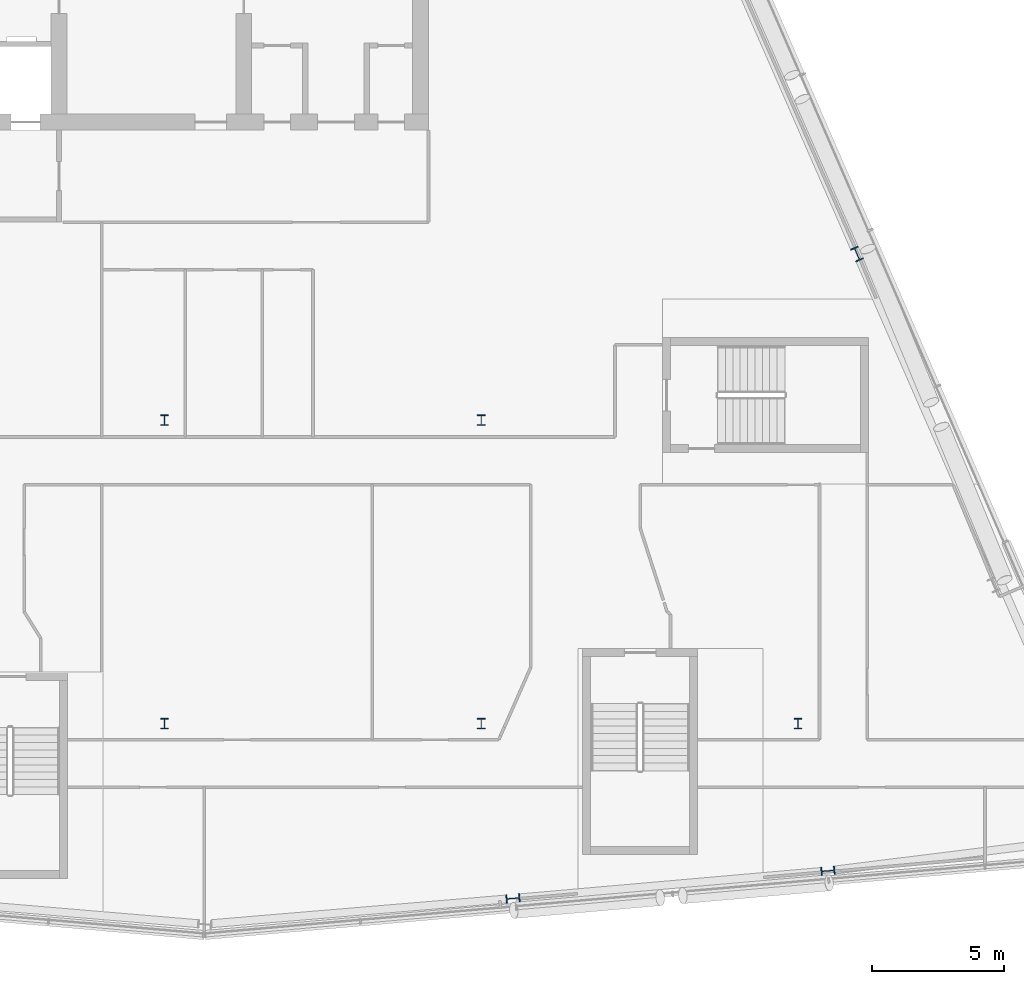
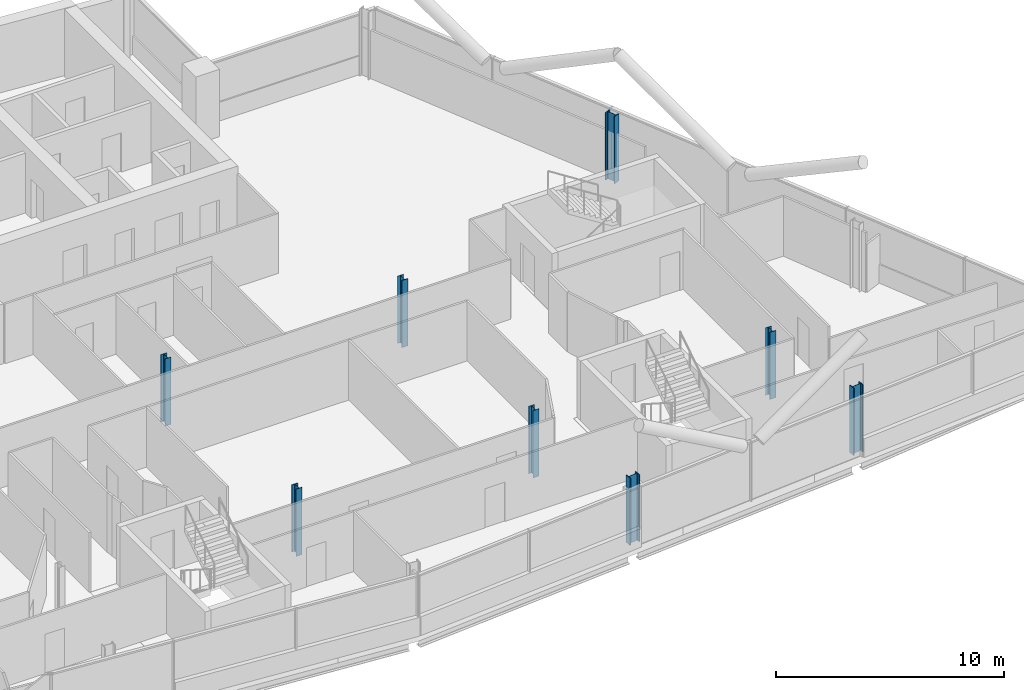
# One storey, part 2 of 27: 8 columns.
"""IFC4 building model written with IfcOpenShell, lengths in metres."""

from ifc_helpers import new_model, si_unit, direction, frame, origin, origin_2d, place, context, subcontext, project, spatial, i_section, extrude, material, material_profile, profile_set, type_object, element, save


model = new_model("IFC4")

# Units and contexts
model_context = context("Model", 3, precision=1e-05, world=origin(), true_north=direction((0.0, 1.0)))
body_context = subcontext(model_context, "Body", "Model", "MODEL_VIEW")
ifc_project = project(units=[si_unit("LENGTHUNIT", "METRE"), si_unit("AREAUNIT", "SQUARE_METRE"), si_unit("VOLUMEUNIT", "CUBIC_METRE"), si_unit("PLANEANGLEUNIT", "RADIAN"), si_unit("MASSUNIT", "GRAM", prefix="KILO")], contexts=[model_context])

# Site, building, storey
site_placement = place(None, origin())
site = spatial("IfcSite", under=ifc_project, at=site_placement, CompositionType="ELEMENT")
building_placement = place(site_placement, origin())
building = spatial("IfcBuilding", under=site, at=building_placement, Name="Wharfspan Tower", CompositionType="ELEMENT")
storey_placement = place(building_placement, frame((0.0, 0.0, 243.100098)))
storey = spatial("IfcBuildingStorey", under=building, at=storey_placement, Name="L61", CompositionType="ELEMENT", Elevation=243.100098)

# Columns
ifc_material = material(Name="Steel S355J2", Category="steel")
ifc_material_profile_1 = material_profile(ifc_material, i_section(OverallWidth=0.300049, OverallDepth=0.399902, WebThickness=0.013428, FlangeThickness=0.023926, FilletRadius=0.0271, at=origin_2d()))
ifc_profile_set_1 = profile_set([ifc_material_profile_1], Name="Steel S355J2")
column_type_1 = type_object("IfcColumnType", Name="Column HEB 400", PredefinedType="COLUMN", material=ifc_profile_set_1)
for number, where, z_axis, x_axis, name in (
    (1, (48.0, 11.5, 0.0), (0.0, 0.0, 1.0), (1.0, 0.0, 0.0), "Interior column I.1.3 L61"),
    (2, (60.0, 11.5, 0.0), (0.0, 0.0, 1.0), (1.0, 0.0, 0.0), "Interior column I.1.4 L61"),
    (3, (72.0, 11.5, 0.0), (0.0, 0.0, 1.0), (1.0, 0.0, 0.0), "Interior column I.1.5 L61"),
    (4, (48.0, 23.0, 0.0), (0.0, 0.0, 1.0), (1.0, 0.0, 0.0), "Interior column I.2.3 L61"),
    (5, (60.0, 23.0, 0.0), (0.0, 0.0, 1.0), (1.0, 0.0, 0.0), "Interior column I.2.4 L61"),
):
    element("IfcColumn", number, at=place(storey_placement, frame(where, z_axis=z_axis, x_axis=x_axis)), inside=storey, type_object=column_type_1, Name=name, PredefinedType="COLUMN", context=body_context, shape_type="SweptSolid", body=[
        extrude(i_section(OverallWidth=0.300049, OverallDepth=0.399902, WebThickness=0.013428, FlangeThickness=0.023926, FilletRadius=0.0271, at=origin_2d()), origin(), (0.0, 0.0, 1.0), 3.599854),
    ])
ifc_material_profile_2 = material_profile(ifc_material, i_section(OverallWidth=0.305908, OverallDepth=0.523926, WebThickness=0.020996, FlangeThickness=0.040039, FilletRadius=0.0271, at=origin_2d()))
ifc_profile_set_2 = profile_set([ifc_material_profile_2], Name="Steel S355J2")
column_type_2 = type_object("IfcColumnType", Name="Column HEM 500", PredefinedType="COLUMN", material=ifc_profile_set_2)
for number, where, z_axis, x_axis, name in (
    (6, (61.202393, 4.879395, 0.0), (0.0, 0.0, 1.0), (0.087156, -0.996197, 0.0), "Perimeter column PS2.1 L61"),
    (7, (73.135254, 5.92334, 0.0), (0.0, 0.0, 1.0), (0.087156, -0.996197, 0.0), "Perimeter column PS2.2 L61"),
    (8, (74.235352, 29.294922, 0.0), (0.0, 0.0, 1.0), (0.917072, 0.398727, 0.0), "Perimeter column PE.2 L61"),
):
    element("IfcColumn", number, at=place(storey_placement, frame(where, z_axis=z_axis, x_axis=x_axis)), inside=storey, type_object=column_type_2, Name=name, PredefinedType="COLUMN", context=body_context, shape_type="SweptSolid", body=[
        extrude(i_section(OverallWidth=0.305908, OverallDepth=0.523926, WebThickness=0.020996, FlangeThickness=0.040039, FilletRadius=0.0271, at=origin_2d()), origin(), (0.0, 0.0, 1.0), 3.599854),
    ])

save(model, "model.ifc")
